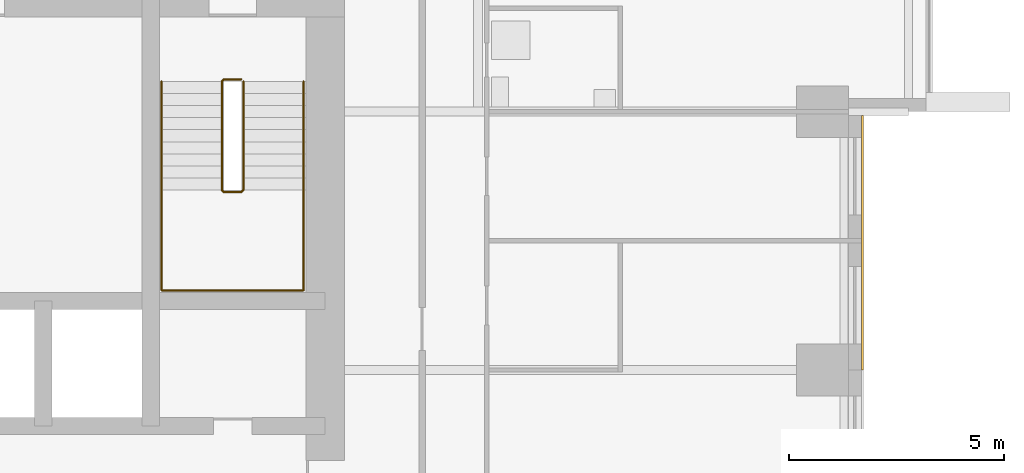
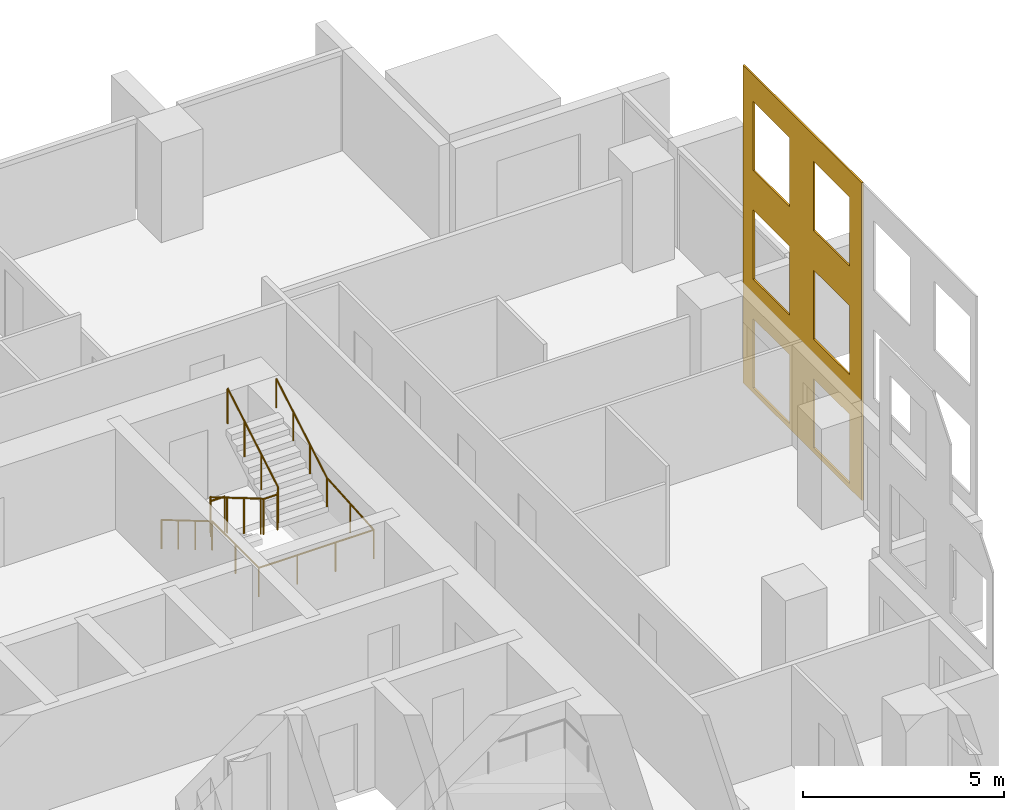
# One storey, part 10 of 11: 2 railings, 1 covering.
"""IFC4 building model written with IfcOpenShell, lengths in metres."""

import ifcopenshell
import ifcopenshell.guid

model = None  # the IFC model being written
_history = None  # IfcOwnerHistory: only IFC2X3 demands one
_inside = {}  # id of a spatial element -> (the spatial element, [elements in it])
_under = {}  # id of a project, library or spatial element -> (it, [spatial elements below it])
_declared = {}  # id of a project -> (the project, [libraries it declares])
_typed = {}  # id of a type object -> (the type object, [elements of that type])
_made_of = {}  # id of a material, layer set ... -> (it, [elements and type objects made of it])


def new_model(schema):
    """Start an empty IFC model of exactly this schema.

    Asked for "IFC4X3", IfcOpenShell would pick the latest addendum, in which some entities
    have other attributes; the version numbers below select the first issue.
    IFC2X3 requires an IfcOwnerHistory on every rooted entity: one is made here for all.
    """
    global model, _history
    if schema == "IFC4X3":
        model = ifcopenshell.file(schema_version=(4, 3, 0, 0))
    else:
        model = ifcopenshell.file(schema=schema)
    _inside.clear()
    _under.clear()
    _declared.clear()
    _typed.clear()
    _made_of.clear()
    _history = None
    if model.schema == "IFC2X3":
        org = make("IfcOrganization", Name="unknown")
        user = make(
            "IfcPersonAndOrganization",
            ThePerson=make("IfcPerson", FamilyName="unknown"),
            TheOrganization=org,
        )
        app = make(
            "IfcApplication",
            ApplicationDeveloper=org,
            Version="unknown",
            ApplicationFullName="unknown",
            ApplicationIdentifier="unknown",
        )
        _history = make(
            "IfcOwnerHistory",
            OwningUser=user,
            OwningApplication=app,
            ChangeAction="ADDED",
            CreationDate=0,
        )
    return model


def make(cls, **values):
    """One entity of the class cls with the attributes given. An attribute that is None is left unset."""
    return model.create_entity(
        cls, **{name: value for name, value in values.items() if value is not None}
    )


def rooted(cls, **values):
    """An entity with a GlobalId (a new one), such as an element, a storey or a relation."""
    return make(cls, GlobalId=ifcopenshell.guid.new(), OwnerHistory=_history, **values)


def si_unit(unit_type, name, prefix=None):
    """IfcSIUnit, for example si_unit("LENGTHUNIT", "METRE", prefix="MILLI")."""
    return make("IfcSIUnit", UnitType=unit_type, Prefix=prefix, Name=name)


def assignment(units):
    """IfcUnitAssignment: the units of a project."""
    return None if units is None else make("IfcUnitAssignment", Units=units)


def point(xyz):
    """IfcCartesianPoint."""
    return None if xyz is None else make("IfcCartesianPoint", Coordinates=xyz)


def direction(xyz):
    """IfcDirection."""
    return None if xyz is None else make("IfcDirection", DirectionRatios=xyz)


def frame(location, z_axis=None, x_axis=None):
    """IfcAxis2Placement3D, a coordinate frame: its origin and axes. An axis left out is left unset."""
    return make(
        "IfcAxis2Placement3D",
        Location=point(location),
        Axis=direction(z_axis),
        RefDirection=direction(x_axis),
    )


def frame_2d(location, x_axis=None):
    """IfcAxis2Placement2D, a coordinate frame in the plane: its origin and x axis."""
    return make(
        "IfcAxis2Placement2D", Location=point(location), RefDirection=direction(x_axis)
    )


def origin():
    """The frame at (0, 0, 0) with its axes left unset."""
    return frame((0.0, 0.0, 0.0))


def origin_2d():
    """The frame at (0, 0) in the plane with its x axis left unset."""
    return frame_2d((0.0, 0.0))


def place(relative_to, where):
    """IfcLocalPlacement: puts the frame where relative to a parent placement (None: the world)."""
    return make(
        "IfcLocalPlacement", PlacementRelTo=relative_to, RelativePlacement=where
    )


def context(
    kind, dimensions, precision=None, world=None, true_north=None, identifier=None
):
    """IfcGeometricRepresentationContext, for example the 3D "Model" context."""
    return make(
        "IfcGeometricRepresentationContext",
        ContextIdentifier=identifier,
        ContextType=kind,
        CoordinateSpaceDimension=dimensions,
        Precision=precision,
        WorldCoordinateSystem=world,
        TrueNorth=true_north,
    )


def subcontext(parent, identifier, kind, view, scale=None):
    """IfcGeometricRepresentationSubContext, for example "Body" below "Model"."""
    return make(
        "IfcGeometricRepresentationSubContext",
        ContextIdentifier=identifier,
        ContextType=kind,
        ParentContext=parent,
        TargetScale=scale,
        TargetView=view,
    )


def project(units=None, contexts=None):
    """IfcProject with its units and contexts."""
    return rooted(
        "IfcProject",
        Name="project",
        RepresentationContexts=contexts,
        UnitsInContext=assignment(units),
    )


def spatial(cls, under=None, at=None, **own):
    """A site, building, storey or space (cls), placed at a placement, below another one or the project."""
    s = rooted(cls, ObjectPlacement=at, **own)
    if under is not None:
        _under.setdefault(under.id(), (under, []))[1].append(s)
    return s


def polyline(points):
    """IfcPolyline through the points."""
    return make("IfcPolyline", Points=[point(p) for p in points])


def profile(cls, at=None, kind="AREA", **sizes):
    """A parametric profile (cls). Its sizes go by their IFC names, for example OverallWidth=200.0."""
    return make(cls, ProfileType=kind, Position=at, **sizes)


def circle(**sizes):
    """IfcCircleProfileDef."""
    return profile("IfcCircleProfileDef", **sizes)


def outline(outer, holes=None, kind="AREA"):
    """IfcArbitraryClosedProfileDef: a profile drawn as a closed curve; with holes, ...WithVoids."""
    if holes is None:
        return make("IfcArbitraryClosedProfileDef", ProfileType=kind, OuterCurve=outer)
    return make(
        "IfcArbitraryProfileDefWithVoids",
        ProfileType=kind,
        OuterCurve=outer,
        InnerCurves=holes,
    )


def extrude(swept, where, along, depth):
    """IfcExtrudedAreaSolid: the profile swept, set in the frame where, extruded along a direction by depth."""
    return make(
        "IfcExtrudedAreaSolid",
        SweptArea=swept,
        Position=where,
        ExtrudedDirection=direction(along),
        Depth=depth,
    )


def shape(context_of_items, identifier, shape_type, items):
    """IfcShapeRepresentation: the items that make up one representation, for example the "Body"."""
    return make(
        "IfcShapeRepresentation",
        ContextOfItems=context_of_items,
        RepresentationIdentifier=identifier,
        RepresentationType=shape_type,
        Items=items,
    )


def material(Name=None, Category=None):
    """IfcMaterial."""
    return make("IfcMaterial", Name=Name, Category=Category)


def layer(
    of_material, thickness, ventilated=None, Name=None, Category=None, Priority=None
):
    """IfcMaterialLayer: one layer of a wall or slab, of a material (None: an air gap)."""
    return make(
        "IfcMaterialLayer",
        Material=of_material,
        LayerThickness=thickness,
        IsVentilated=ventilated,
        Name=Name,
        Category=Category,
        Priority=Priority,
    )


def layer_set(layers, Name=None):
    """IfcMaterialLayerSet."""
    return make("IfcMaterialLayerSet", MaterialLayers=layers, LayerSetName=Name)


def made_of(thing, what):
    """Note that an element or type object is made of a material, layer set ...; save() writes the relation."""
    if what is not None:
        _made_of.setdefault(what.id(), (what, []))[1].append(thing)
    return thing


def type_object(cls, material=None, **own):
    """A type object (cls), such as IfcWallType, which elements share."""
    return made_of(rooted(cls, **own), material)


def element(
    cls,
    number,
    at=None,
    inside=None,
    cuts=None,
    type_object=None,
    material=None,
    context=None,
    identifier="Body",
    shape_type=None,
    held_by="IfcProductDefinitionShape",
    body=None,
    shapes=None,
    **own,
):
    """One element of the class cls, such as IfcWall. Its Tag is "e" and its number.

    at: its placement. inside: the storey or other place that contains it. cuts: it is an
    opening in that element (IfcRelVoidsElement). A single representation is given by context,
    identifier, shape_type and body (its items); several are given by shapes. held_by: the class
    of the entity that holds the representations. save() writes the other relations.
    """
    e = rooted(cls, Tag="e%d" % number, ObjectPlacement=at, **own)
    if body is not None:
        shapes = [shape(context, identifier, shape_type, body)]
    if shapes is not None:
        e.Representation = make(held_by, Representations=shapes)
    if inside is not None:
        _inside.setdefault(inside.id(), (inside, []))[1].append(e)
    if cuts is not None:
        rooted(
            "IfcRelVoidsElement", RelatingBuildingElement=cuts, RelatedOpeningElement=e
        )
    if type_object is not None:
        _typed.setdefault(type_object.id(), (type_object, []))[1].append(e)
    return made_of(e, material)


def aggregate(whole, parts):
    """IfcRelAggregates: a whole, such as a stair, and the parts it consists of."""
    return rooted("IfcRelAggregates", RelatingObject=whole, RelatedObjects=parts)


def save(model, path):
    """Write the relations noted so far, then the file.

    IfcRelAggregates (storeys below a building ...), IfcRelContainedInSpatialStructure (elements
    in a storey), IfcRelDefinesByType, IfcRelAssociatesMaterial and IfcRelDeclares: one each for
    every whole, place, type object, material and project.
    """
    for whole, parts in _under.values():
        aggregate(whole, parts)
    for where, things in _inside.values():
        rooted(
            "IfcRelContainedInSpatialStructure",
            RelatedElements=things,
            RelatingStructure=where,
        )
    for kind, things in _typed.values():
        rooted("IfcRelDefinesByType", RelatedObjects=things, RelatingType=kind)
    for what, things in _made_of.values():
        rooted("IfcRelAssociatesMaterial", RelatedObjects=things, RelatingMaterial=what)
    for by, libraries in _declared.values():
        rooted("IfcRelDeclares", RelatingContext=by, RelatedDefinitions=libraries)
    model.write(path)


model = new_model("IFC4")

# Units and contexts
model_context = context("Model", 3, precision=1e-05, world=origin(), true_north=direction((0.0, 1.0)))
body_context = subcontext(model_context, "Body", "Model", "MODEL_VIEW")
ifc_project = project(units=[si_unit("LENGTHUNIT", "METRE"), si_unit("AREAUNIT", "SQUARE_METRE"), si_unit("VOLUMEUNIT", "CUBIC_METRE"), si_unit("PLANEANGLEUNIT", "RADIAN"), si_unit("MASSUNIT", "GRAM", prefix="KILO")], contexts=[model_context])

# Site, building, storey
site_placement = place(None, origin())
site = spatial("IfcSite", under=ifc_project, at=site_placement, CompositionType="ELEMENT")
building_placement = place(site_placement, origin())
building = spatial("IfcBuilding", under=site, at=building_placement, Name="Amberfall Residences", CompositionType="ELEMENT")
storey_placement = place(building_placement, frame((0.0, 0.0, 33.39990234375)))
storey = spatial("IfcBuildingStorey", under=building, at=storey_placement, Name="L08", CompositionType="ELEMENT", Elevation=33.39990234375)

# Covering
ifc_material_1 = material(Name="Pale limestone cladding", Category="masonry")
ifc_layer = layer(ifc_material_1, 0.050048828125)
ifc_layer_set = layer_set([ifc_layer], Name="Limestone fascia 50")
covering_type = type_object("IfcCoveringType", Name="Limestone fascia 50", PredefinedType="CLADDING", material=ifc_layer_set)
covering_placement = place(storey_placement, frame((98.5, 48.39990234375, 9.650146484375), z_axis=(-1.0, 0.0, 0.0), x_axis=(0.0, 1.0, 0.0)))
element("IfcCovering", 1, at=covering_placement, inside=storey, type_object=covering_type, Name="Pale limestone cladding L08-L10 E", PredefinedType="CLADDING", context=body_context, shape_type="SweptSolid", body=[
    extrude(outline(polyline([(0.0, 0.0), (5.91015625, 0.0), (5.91015625, 9.650146484375), (0.0, 9.650146484375), (0.0, 0.0)]), holes=[polyline([(0.60009765625, 7.400146484375), (2.400146484375, 7.400146484375), (2.400146484375, 9.5), (0.60009765625, 9.5), (0.60009765625, 7.400146484375)]), polyline([(3.60009765625, 7.400146484375), (5.400146484375, 7.400146484375), (5.400146484375, 9.5), (3.60009765625, 9.5), (3.60009765625, 7.400146484375)]), polyline([(0.60009765625, 4.10009765625), (2.400146484375, 4.10009765625), (2.400146484375, 6.199951171875), (0.60009765625, 6.199951171875), (0.60009765625, 4.10009765625)]), polyline([(3.60009765625, 4.10009765625), (5.400146484375, 4.10009765625), (5.400146484375, 6.199951171875), (3.60009765625, 6.199951171875), (3.60009765625, 4.10009765625)]), polyline([(0.60009765625, 0.800048828125), (2.400146484375, 0.800048828125), (2.400146484375, 2.900146484375), (0.60009765625, 2.900146484375), (0.60009765625, 0.800048828125)]), polyline([(3.60009765625, 0.800048828125), (5.400146484375, 0.800048828125), (5.400146484375, 2.900146484375), (3.60009765625, 2.900146484375), (3.60009765625, 0.800048828125)])]), origin(), (0.0, 0.0, -1.0), 0.050048828125),
])

# Railings
ifc_material_2 = material(Name="Stainless steel 316", Category="steel")
railing_type_1 = type_object("IfcRailingType", Name="Stair guard 1100", PredefinedType="GUARDRAIL", material=ifc_material_2)
railing_1_placement = place(storey_placement, frame((84.10009765625, 55.14990234375, 0.0)))
element("IfcRailing", 2, at=railing_1_placement, inside=storey, type_object=railing_type_1, Name="L08 stair 3 guard", PredefinedType="GUARDRAIL", context=body_context, shape_type="SweptSolid", body=[
    extrude(circle(Radius=0.02392578125, at=origin_2d()), frame((0.0, 0.0, 1.076171875), z_axis=(-1.0, 0.0, 0.0), x_axis=(0.0, -1.0, 0.0)), (0.0, 0.0, 1.0), 0.400146484375),
    extrude(circle(Radius=0.02392578125, at=origin_2d()), frame((-0.400146484375, 0.0, 1.076171875), z_axis=(-0.278810427259, -0.277450376394, 0.919394384522), x_axis=(0.705375805398, -0.708833529934, 0.0)), (0.0, 0.0, 1.0), 0.179443359375),
    extrude(circle(Radius=0.02392578125, at=origin_2d()), frame((-0.4501953125, -0.0498046875, 1.2412109375), z_axis=(0.0, -0.86152411907, 0.507716645641), x_axis=(1.0, 0.0, 0.0)), (0.0, 0.0, 1.0), 2.925048828125),
    extrude(circle(Radius=0.02392578125, at=origin_2d()), frame((-0.4501953125, -2.56982421875, 2.72607421875), z_axis=(0.707106781187, -0.707106781187, 0.0), x_axis=(0.707106781187, 0.707106781187, 0.0)), (0.0, 0.0, 1.0), 0.07080078125),
    extrude(circle(Radius=0.02392578125, at=origin_2d()), frame((-0.400146484375, -2.619873046875, 2.72607421875), z_axis=(1.0, 0.0, 0.0), x_axis=(0.0, 1.0, 0.0)), (0.0, 0.0, 1.0), 0.400146484375),
    extrude(circle(Radius=0.02392578125, at=origin_2d()), frame((0.0, -2.619873046875, 2.72607421875), z_axis=(0.277450376394, 0.278810427259, 0.919394384522), x_axis=(-0.708833529934, 0.705375805398, 0.0)), (0.0, 0.0, 1.0), 0.179443359375),
    extrude(circle(Radius=0.02392578125, at=origin_2d()), frame((0.0498046875, -2.56982421875, 2.89111328125), z_axis=(0.0, 0.861560626758, 0.507654692109), x_axis=(-1.0, 0.0, 0.0)), (0.0, 0.0, 1.0), 2.925048828125),
    extrude(circle(Radius=0.02099609375, at=origin_2d()), origin(), (0.0, 0.0, 1.0), 1.052001953125),
    extrude(circle(Radius=0.02099609375, at=origin_2d()), frame((-0.400146484375, 0.0, 0.0)), (0.0, 0.0, 1.0), 1.052001953125),
    extrude(circle(Radius=0.02099609375, at=origin_2d()), frame((-0.4501953125, -0.0498046875, 0.1650390625)), (0.0, 0.0, 1.0), 1.052001953125),
    extrude(circle(Radius=0.02099609375, at=origin_2d()), frame((-0.4501953125, -0.889892578125, 0.66015625)), (0.0, 0.0, 1.0), 1.052001953125),
    extrude(circle(Radius=0.02099609375, at=origin_2d()), frame((-0.4501953125, -1.729736328125, 1.155029296875)), (0.0, 0.0, 1.0), 1.052001953125),
    extrude(circle(Radius=0.02099609375, at=origin_2d()), frame((-0.4501953125, -2.56982421875, 1.650146484375)), (0.0, 0.0, 1.0), 1.052001953125),
    extrude(circle(Radius=0.02099609375, at=origin_2d()), frame((-0.400146484375, -2.619873046875, 1.650146484375)), (0.0, 0.0, 1.0), 1.052001953125),
    extrude(circle(Radius=0.02099609375, at=origin_2d()), frame((0.0, -2.619873046875, 1.650146484375)), (0.0, 0.0, 1.0), 1.052001953125),
    extrude(circle(Radius=0.02099609375, at=origin_2d()), frame((0.0498046875, -2.56982421875, 1.815185546875)), (0.0, 0.0, 1.0), 1.052001953125),
    extrude(circle(Radius=0.02099609375, at=origin_2d()), frame((0.0498046875, -1.729736328125, 2.31005859375)), (0.0, 0.0, 1.0), 1.052001953125),
    extrude(circle(Radius=0.02099609375, at=origin_2d()), frame((0.0498046875, -0.889892578125, 2.80517578125)), (0.0, 0.0, 1.0), 1.052001953125),
    extrude(circle(Radius=0.02099609375, at=origin_2d()), frame((0.0498046875, -0.0498046875, 3.300048828125)), (0.0, 0.0, 1.0), 1.052001953125),
])
railing_type_2 = type_object("IfcRailingType", Name="Stair handrail 900", PredefinedType="HANDRAIL", material=ifc_material_2)
railing_2_placement = place(storey_placement, frame((82.25, 55.10009765625, 0.1650390625)))
element("IfcRailing", 3, at=railing_2_placement, inside=storey, type_object=railing_type_2, Name="L08 stair 3 handrail", PredefinedType="HANDRAIL", context=body_context, shape_type="SweptSolid", body=[
    extrude(circle(Radius=0.02392578125, at=origin_2d()), frame((0.0, 0.0, 0.8759765625), z_axis=(0.0, -0.86152411907, 0.507716645641), x_axis=(1.0, 0.0, 0.0)), (0.0, 0.0, 1.0), 2.925048828125),
    extrude(circle(Radius=0.02392578125, at=origin_2d()), frame((0.0, -2.52001953125, 2.36083984375), z_axis=(0.0, -1.0, 0.0), x_axis=(1.0, 0.0, 0.0)), (0.0, 0.0, 1.0), 2.330078125),
    extrude(circle(Radius=0.02392578125, at=origin_2d()), frame((0.0, -4.85009765625, 2.36083984375), z_axis=(1.0, 0.0, 0.0), x_axis=(0.0, 1.0, 0.0)), (0.0, 0.0, 1.0), 3.300048828125),
    extrude(circle(Radius=0.02392578125, at=origin_2d()), frame((3.300048828125, -4.85009765625, 2.36083984375), z_axis=(0.0, 0.997500965899, 0.07065283455), x_axis=(-1.0, 0.0, 0.0)), (0.0, 0.0, 1.0), 2.3359375),
    extrude(circle(Radius=0.02392578125, at=origin_2d()), frame((3.300048828125, -2.52001953125, 2.52587890625), z_axis=(0.0, 0.861560626758, 0.507654692109), x_axis=(-1.0, 0.0, 0.0)), (0.0, 0.0, 1.0), 2.925048828125),
    extrude(circle(Radius=0.02099609375, at=origin_2d()), origin(), (0.0, 0.0, 1.0), 0.851806640625),
    extrude(circle(Radius=0.02099609375, at=origin_2d()), frame((0.0, -0.840087890625, 0.4951171875)), (0.0, 0.0, 1.0), 0.851806640625),
    extrude(circle(Radius=0.02099609375, at=origin_2d()), frame((0.0, -1.679931640625, 0.989990234375)), (0.0, 0.0, 1.0), 0.851806640625),
    extrude(circle(Radius=0.02099609375, at=origin_2d()), frame((0.0, -2.52001953125, 1.485107421875)), (0.0, 0.0, 1.0), 0.851806640625),
    extrude(circle(Radius=0.02099609375, at=origin_2d()), frame((0.0, -3.68505859375, 1.485107421875)), (0.0, 0.0, 1.0), 0.851806640625),
    extrude(circle(Radius=0.02099609375, at=origin_2d()), frame((0.0, -4.85009765625, 1.485107421875)), (0.0, 0.0, 1.0), 0.851806640625),
    extrude(circle(Radius=0.02099609375, at=origin_2d()), frame((1.10009765625, -4.85009765625, 1.485107421875)), (0.0, 0.0, 1.0), 0.851806640625),
    extrude(circle(Radius=0.02099609375, at=origin_2d()), frame((2.199951171875, -4.85009765625, 1.485107421875)), (0.0, 0.0, 1.0), 0.851806640625),
    extrude(circle(Radius=0.02099609375, at=origin_2d()), frame((3.300048828125, -4.85009765625, 1.485107421875)), (0.0, 0.0, 1.0), 0.851806640625),
    extrude(circle(Radius=0.02099609375, at=origin_2d()), frame((3.300048828125, -3.68505859375, 1.567626953125)), (0.0, 0.0, 1.0), 0.851806640625),
    extrude(circle(Radius=0.02099609375, at=origin_2d()), frame((3.300048828125, -2.52001953125, 1.650146484375)), (0.0, 0.0, 1.0), 0.851806640625),
    extrude(circle(Radius=0.02099609375, at=origin_2d()), frame((3.300048828125, -1.679931640625, 2.14501953125)), (0.0, 0.0, 1.0), 0.851806640625),
    extrude(circle(Radius=0.02099609375, at=origin_2d()), frame((3.300048828125, -0.840087890625, 2.64013671875)), (0.0, 0.0, 1.0), 0.851806640625),
    extrude(circle(Radius=0.02099609375, at=origin_2d()), frame((3.300048828125, 0.0, 3.135009765625)), (0.0, 0.0, 1.0), 0.851806640625),
])

save(model, "model.ifc")
